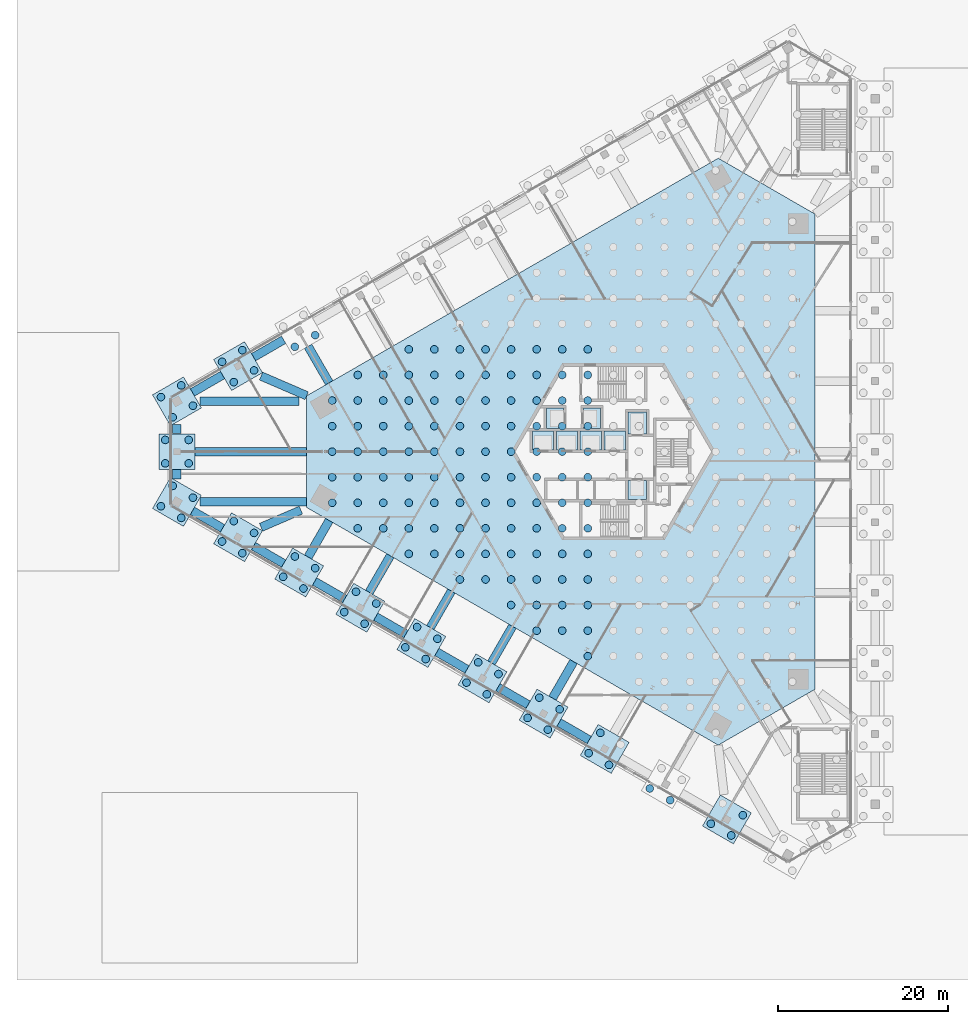
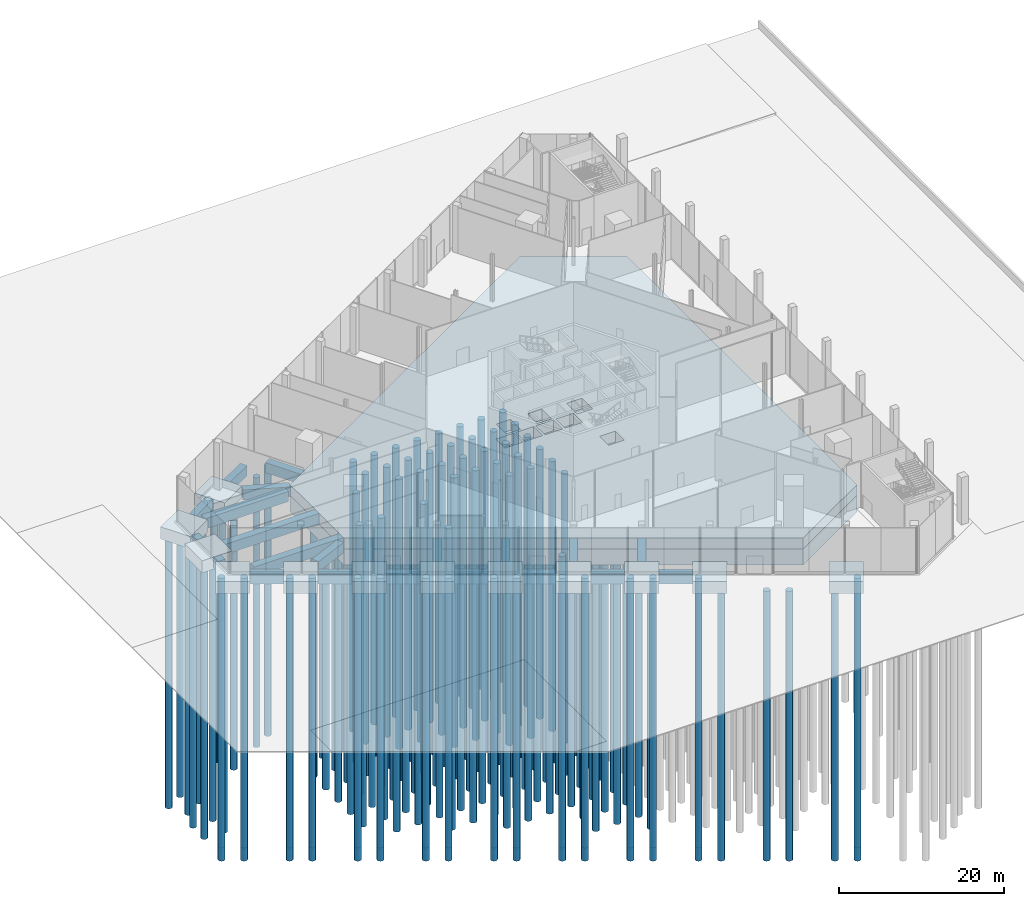
# One storey, part 1 of 27: 155 piles, 36 footings.
"""IFC4 building model written with IfcOpenShell, lengths in metres."""

import ifcopenshell
import ifcopenshell.guid

model = None  # the IFC model being written
_history = None  # IfcOwnerHistory: only IFC2X3 demands one
_inside = {}  # id of a spatial element -> (the spatial element, [elements in it])
_under = {}  # id of a project, library or spatial element -> (it, [spatial elements below it])
_declared = {}  # id of a project -> (the project, [libraries it declares])
_typed = {}  # id of a type object -> (the type object, [elements of that type])
_made_of = {}  # id of a material, layer set ... -> (it, [elements and type objects made of it])


def new_model(schema):
    """Start an empty IFC model of exactly this schema.

    Asked for "IFC4X3", IfcOpenShell would pick the latest addendum, in which some entities
    have other attributes; the version numbers below select the first issue.
    IFC2X3 requires an IfcOwnerHistory on every rooted entity: one is made here for all.
    """
    global model, _history
    if schema == "IFC4X3":
        model = ifcopenshell.file(schema_version=(4, 3, 0, 0))
    else:
        model = ifcopenshell.file(schema=schema)
    _inside.clear()
    _under.clear()
    _declared.clear()
    _typed.clear()
    _made_of.clear()
    _history = None
    if model.schema == "IFC2X3":
        org = make("IfcOrganization", Name="unknown")
        user = make(
            "IfcPersonAndOrganization",
            ThePerson=make("IfcPerson", FamilyName="unknown"),
            TheOrganization=org,
        )
        app = make(
            "IfcApplication",
            ApplicationDeveloper=org,
            Version="unknown",
            ApplicationFullName="unknown",
            ApplicationIdentifier="unknown",
        )
        _history = make(
            "IfcOwnerHistory",
            OwningUser=user,
            OwningApplication=app,
            ChangeAction="ADDED",
            CreationDate=0,
        )
    return model


def make(cls, **values):
    """One entity of the class cls with the attributes given. An attribute that is None is left unset."""
    return model.create_entity(
        cls, **{name: value for name, value in values.items() if value is not None}
    )


def rooted(cls, **values):
    """An entity with a GlobalId (a new one), such as an element, a storey or a relation."""
    return make(cls, GlobalId=ifcopenshell.guid.new(), OwnerHistory=_history, **values)


def si_unit(unit_type, name, prefix=None):
    """IfcSIUnit, for example si_unit("LENGTHUNIT", "METRE", prefix="MILLI")."""
    return make("IfcSIUnit", UnitType=unit_type, Prefix=prefix, Name=name)


def assignment(units):
    """IfcUnitAssignment: the units of a project."""
    return None if units is None else make("IfcUnitAssignment", Units=units)


def point(xyz):
    """IfcCartesianPoint."""
    return None if xyz is None else make("IfcCartesianPoint", Coordinates=xyz)


def direction(xyz):
    """IfcDirection."""
    return None if xyz is None else make("IfcDirection", DirectionRatios=xyz)


def frame(location, z_axis=None, x_axis=None):
    """IfcAxis2Placement3D, a coordinate frame: its origin and axes. An axis left out is left unset."""
    return make(
        "IfcAxis2Placement3D",
        Location=point(location),
        Axis=direction(z_axis),
        RefDirection=direction(x_axis),
    )


def frame_2d(location, x_axis=None):
    """IfcAxis2Placement2D, a coordinate frame in the plane: its origin and x axis."""
    return make(
        "IfcAxis2Placement2D", Location=point(location), RefDirection=direction(x_axis)
    )


def origin():
    """The frame at (0, 0, 0) with its axes left unset."""
    return frame((0.0, 0.0, 0.0))


def origin_2d():
    """The frame at (0, 0) in the plane with its x axis left unset."""
    return frame_2d((0.0, 0.0))


def place(relative_to, where):
    """IfcLocalPlacement: puts the frame where relative to a parent placement (None: the world)."""
    return make(
        "IfcLocalPlacement", PlacementRelTo=relative_to, RelativePlacement=where
    )


def context(
    kind, dimensions, precision=None, world=None, true_north=None, identifier=None
):
    """IfcGeometricRepresentationContext, for example the 3D "Model" context."""
    return make(
        "IfcGeometricRepresentationContext",
        ContextIdentifier=identifier,
        ContextType=kind,
        CoordinateSpaceDimension=dimensions,
        Precision=precision,
        WorldCoordinateSystem=world,
        TrueNorth=true_north,
    )


def subcontext(parent, identifier, kind, view, scale=None):
    """IfcGeometricRepresentationSubContext, for example "Body" below "Model"."""
    return make(
        "IfcGeometricRepresentationSubContext",
        ContextIdentifier=identifier,
        ContextType=kind,
        ParentContext=parent,
        TargetScale=scale,
        TargetView=view,
    )


def project(units=None, contexts=None):
    """IfcProject with its units and contexts."""
    return rooted(
        "IfcProject",
        Name="project",
        RepresentationContexts=contexts,
        UnitsInContext=assignment(units),
    )


def spatial(cls, under=None, at=None, **own):
    """A site, building, storey or space (cls), placed at a placement, below another one or the project."""
    s = rooted(cls, ObjectPlacement=at, **own)
    if under is not None:
        _under.setdefault(under.id(), (under, []))[1].append(s)
    return s


def polyline(points):
    """IfcPolyline through the points."""
    return make("IfcPolyline", Points=[point(p) for p in points])


def profile(cls, at=None, kind="AREA", **sizes):
    """A parametric profile (cls). Its sizes go by their IFC names, for example OverallWidth=200.0."""
    return make(cls, ProfileType=kind, Position=at, **sizes)


def rectangle(**sizes):
    """IfcRectangleProfileDef."""
    return profile("IfcRectangleProfileDef", **sizes)


def circle(**sizes):
    """IfcCircleProfileDef."""
    return profile("IfcCircleProfileDef", **sizes)


def outline(outer, holes=None, kind="AREA"):
    """IfcArbitraryClosedProfileDef: a profile drawn as a closed curve; with holes, ...WithVoids."""
    if holes is None:
        return make("IfcArbitraryClosedProfileDef", ProfileType=kind, OuterCurve=outer)
    return make(
        "IfcArbitraryProfileDefWithVoids",
        ProfileType=kind,
        OuterCurve=outer,
        InnerCurves=holes,
    )


def extrude(swept, where, along, depth):
    """IfcExtrudedAreaSolid: the profile swept, set in the frame where, extruded along a direction by depth."""
    return make(
        "IfcExtrudedAreaSolid",
        SweptArea=swept,
        Position=where,
        ExtrudedDirection=direction(along),
        Depth=depth,
    )


def shape(context_of_items, identifier, shape_type, items):
    """IfcShapeRepresentation: the items that make up one representation, for example the "Body"."""
    return make(
        "IfcShapeRepresentation",
        ContextOfItems=context_of_items,
        RepresentationIdentifier=identifier,
        RepresentationType=shape_type,
        Items=items,
    )


def source(mapping_origin, context_of_items, identifier, shape_type, items):
    """IfcRepresentationMap: a shape defined once, which mapped items show again and again."""
    return make(
        "IfcRepresentationMap",
        MappingOrigin=mapping_origin,
        MappedRepresentation=shape(context_of_items, identifier, shape_type, items),
    )


def transform(
    local_origin,
    x_axis=None,
    y_axis=None,
    z_axis=None,
    scale=None,
    scale2=None,
    scale3=None,
    uniform=True,
):
    """IfcCartesianTransformationOperator3D, or its non-uniform kind. x_axis, y_axis, z_axis: its Axis1, 2, 3."""
    if uniform:
        return make(
            "IfcCartesianTransformationOperator3D",
            Axis1=direction(x_axis),
            Axis2=direction(y_axis),
            LocalOrigin=point(local_origin),
            Scale=scale,
            Axis3=direction(z_axis),
        )
    return make(
        "IfcCartesianTransformationOperator3DnonUniform",
        Axis1=direction(x_axis),
        Axis2=direction(y_axis),
        LocalOrigin=point(local_origin),
        Scale=scale,
        Axis3=direction(z_axis),
        Scale2=scale2,
        Scale3=scale3,
    )


def mapped(mapping_source, mapping_target):
    """IfcMappedItem: shows the shape of a source again, moved by a transform."""
    return make(
        "IfcMappedItem", MappingSource=mapping_source, MappingTarget=mapping_target
    )


def material(Name=None, Category=None):
    """IfcMaterial."""
    return make("IfcMaterial", Name=Name, Category=Category)


def layer(
    of_material, thickness, ventilated=None, Name=None, Category=None, Priority=None
):
    """IfcMaterialLayer: one layer of a wall or slab, of a material (None: an air gap)."""
    return make(
        "IfcMaterialLayer",
        Material=of_material,
        LayerThickness=thickness,
        IsVentilated=ventilated,
        Name=Name,
        Category=Category,
        Priority=Priority,
    )


def layer_set(layers, Name=None):
    """IfcMaterialLayerSet."""
    return make("IfcMaterialLayerSet", MaterialLayers=layers, LayerSetName=Name)


def material_profile(
    of_material, cross_section, Name=None, Category=None, Priority=None
):
    """IfcMaterialProfile: a cross section and its material."""
    return make(
        "IfcMaterialProfile",
        Name=Name,
        Material=of_material,
        Profile=cross_section,
        Priority=Priority,
        Category=Category,
    )


def profile_set(profiles, Name=None, composite=None):
    """IfcMaterialProfileSet."""
    return make(
        "IfcMaterialProfileSet",
        Name=Name,
        MaterialProfiles=profiles,
        CompositeProfile=composite,
    )


def made_of(thing, what):
    """Note that an element or type object is made of a material, layer set ...; save() writes the relation."""
    if what is not None:
        _made_of.setdefault(what.id(), (what, []))[1].append(thing)
    return thing


def type_object(cls, material=None, **own):
    """A type object (cls), such as IfcWallType, which elements share."""
    return made_of(rooted(cls, **own), material)


def element(
    cls,
    number,
    at=None,
    inside=None,
    cuts=None,
    type_object=None,
    material=None,
    context=None,
    identifier="Body",
    shape_type=None,
    held_by="IfcProductDefinitionShape",
    body=None,
    shapes=None,
    **own,
):
    """One element of the class cls, such as IfcWall. Its Tag is "e" and its number.

    at: its placement. inside: the storey or other place that contains it. cuts: it is an
    opening in that element (IfcRelVoidsElement). A single representation is given by context,
    identifier, shape_type and body (its items); several are given by shapes. held_by: the class
    of the entity that holds the representations. save() writes the other relations.
    """
    e = rooted(cls, Tag="e%d" % number, ObjectPlacement=at, **own)
    if body is not None:
        shapes = [shape(context, identifier, shape_type, body)]
    if shapes is not None:
        e.Representation = make(held_by, Representations=shapes)
    if inside is not None:
        _inside.setdefault(inside.id(), (inside, []))[1].append(e)
    if cuts is not None:
        rooted(
            "IfcRelVoidsElement", RelatingBuildingElement=cuts, RelatedOpeningElement=e
        )
    if type_object is not None:
        _typed.setdefault(type_object.id(), (type_object, []))[1].append(e)
    return made_of(e, material)


def aggregate(whole, parts):
    """IfcRelAggregates: a whole, such as a stair, and the parts it consists of."""
    return rooted("IfcRelAggregates", RelatingObject=whole, RelatedObjects=parts)


def save(model, path):
    """Write the relations noted so far, then the file.

    IfcRelAggregates (storeys below a building ...), IfcRelContainedInSpatialStructure (elements
    in a storey), IfcRelDefinesByType, IfcRelAssociatesMaterial and IfcRelDeclares: one each for
    every whole, place, type object, material and project.
    """
    for whole, parts in _under.values():
        aggregate(whole, parts)
    for where, things in _inside.values():
        rooted(
            "IfcRelContainedInSpatialStructure",
            RelatedElements=things,
            RelatingStructure=where,
        )
    for kind, things in _typed.values():
        rooted("IfcRelDefinesByType", RelatedObjects=things, RelatingType=kind)
    for what, things in _made_of.values():
        rooted("IfcRelAssociatesMaterial", RelatedObjects=things, RelatingMaterial=what)
    for by, libraries in _declared.values():
        rooted("IfcRelDeclares", RelatingContext=by, RelatedDefinitions=libraries)
    model.write(path)


model = new_model("IFC4")

# Units and contexts
model_context = context("Model", 3, precision=1e-05, world=origin(), true_north=direction((0.0, 1.0)))
body_context = subcontext(model_context, "Body", "Model", "MODEL_VIEW")
ifc_project = project(units=[si_unit("LENGTHUNIT", "METRE"), si_unit("AREAUNIT", "SQUARE_METRE"), si_unit("VOLUMEUNIT", "CUBIC_METRE"), si_unit("PLANEANGLEUNIT", "RADIAN"), si_unit("MASSUNIT", "GRAM", prefix="KILO")], contexts=[model_context])

# Site, building, storey
site_placement = place(None, origin())
site = spatial("IfcSite", under=ifc_project, at=site_placement, CompositionType="ELEMENT")
building_placement = place(site_placement, origin())
building = spatial("IfcBuilding", under=site, at=building_placement, Name="Triune Harvest Tower", CompositionType="ELEMENT")
storey_placement = place(building_placement, origin())
storey = spatial("IfcBuildingStorey", under=building, at=storey_placement, Name="L00", CompositionType="ELEMENT", Elevation=0.0)

# Footings
ifc_material_1 = material(Name="Concrete 50 MPa", Category="concrete")
ifc_layer_1 = layer(ifc_material_1, 1.60009765625)
ifc_layer_set_1 = layer_set([ifc_layer_1], Name="Concrete 50 MPa")
footing_type_1 = type_object("IfcFootingType", Name="FT-1 Raft cap upper", PredefinedType="PILE_CAP", material=ifc_layer_set_1)
footing_1_placement = place(storey_placement, frame((0.0, 0.0, -1.800048828125)))
element("IfcFooting", 1, at=footing_1_placement, inside=storey, type_object=footing_type_1, Name="footing/raft/upper", PredefinedType="PILE_CAP", context=body_context, shape_type="SweptSolid", body=[
    extrude(outline(polyline([(23.67138671875, -27.8798828125), (23.67138671875, 27.8798828125), (12.30908203125, 34.43994140625), (-35.98046875, 6.56005859375), (-35.98046875, -6.56005859375), (12.30908203125, -34.43994140625), (23.67138671875, -27.8798828125)]), holes=[polyline([(-7.0, 0.2099609375), (-7.0, 2.409912109375), (-9.5, 2.409912109375), (-9.5, 0.2099609375), (-7.0, 0.2099609375)]), polyline([(-4.199951171875, 0.2099609375), (-4.199951171875, 2.409912109375), (-6.699951171875, 2.409912109375), (-6.699951171875, 0.2099609375), (-4.199951171875, 0.2099609375)]), polyline([(-1.39990234375, 0.2099609375), (-1.39990234375, 2.409912109375), (-3.89990234375, 2.409912109375), (-3.89990234375, 0.2099609375), (-1.39990234375, 0.2099609375)]), polyline([(1.39990234375, 0.2099609375), (1.39990234375, 2.409912109375), (-1.10009765625, 2.409912109375), (-1.10009765625, 0.2099609375), (1.39990234375, 0.2099609375)]), polyline([(3.89990234375, 2.06005859375), (3.89990234375, 4.659912109375), (1.699951171875, 4.659912109375), (1.699951171875, 2.06005859375), (3.89990234375, 2.06005859375)]), polyline([(3.89990234375, -5.590087890625), (3.89990234375, -3.389892578125), (1.699951171875, -3.389892578125), (1.699951171875, -5.590087890625), (3.89990234375, -5.590087890625)]), polyline([(-5.85009765625, 2.7099609375), (-5.85009765625, 5.110107421875), (-7.85009765625, 5.110107421875), (-7.85009765625, 2.7099609375), (-5.85009765625, 2.7099609375)]), polyline([(-1.5, 2.7099609375), (-1.5, 5.110107421875), (-3.5, 5.110107421875), (-3.5, 2.7099609375), (-1.5, 2.7099609375)])]), origin(), (0.0, 0.0, 1.0), 1.60009765625),
])
ifc_material_2 = material(Name="Concrete 50 MPa", Category="concrete")
ifc_layer_2 = layer(ifc_material_2, 2.39990234375)
ifc_layer_set_2 = layer_set([ifc_layer_2], Name="Concrete 50 MPa")
footing_type_2 = type_object("IfcFootingType", Name="FT-3 Raft cap base", PredefinedType="PILE_CAP", material=ifc_layer_set_2)
footing_2_placement = place(storey_placement, frame((0.0, 0.0, -4.199951171875)))
element("IfcFooting", 2, at=footing_2_placement, inside=storey, type_object=footing_type_2, Name="footing/raft/base", PredefinedType="PILE_CAP", context=body_context, shape_type="SweptSolid", body=[
    extrude(outline(polyline([(23.67138671875, -27.8798828125), (23.67138671875, 27.8798828125), (12.30908203125, 34.43994140625), (-35.98046875, 6.56005859375), (-35.98046875, -6.56005859375), (12.30908203125, -34.43994140625), (23.67138671875, -27.8798828125)])), origin(), (0.0, 0.0, 1.0), 2.39990234375),
])
ifc_material_3 = material(Name="Concrete 50 MPa", Category="concrete")
ifc_material_profile_1 = material_profile(ifc_material_3, rectangle(XDim=1.0, YDim=1.5, at=origin_2d()), Name="Concrete 1000x1500")
ifc_profile_set_1 = profile_set([ifc_material_profile_1], Name="Concrete 50 MPa")
footing_type_3 = type_object("IfcFootingType", Name="GB-1 Ground beam 1000x1500", PredefinedType="FOOTING_BEAM", material=ifc_profile_set_1)
footing_3_placement = place(storey_placement, frame((-41.3408203125, 8.87451171875, -0.949951171875), z_axis=(0.918074811343, -0.396407165397, 0.0), x_axis=(0.396407165397, 0.918074811343, 0.0)))
element("IfcFooting", 3, at=footing_3_placement, inside=storey, type_object=footing_type_3, Name="beam/ground/tie22", PredefinedType="FOOTING_BEAM", context=body_context, shape_type="SweptSolid", body=[
    extrude(rectangle(XDim=1.0, YDim=1.5, at=origin_2d()), origin(), (0.0, 0.0, 1.0), 5.83544921875),
])
footing_4_placement = place(storey_placement, frame((-49.10791015625, 0.0, -0.949951171875), z_axis=(1.0, 0.0, 0.0), x_axis=(0.0, 1.0, 0.0)))
element("IfcFooting", 4, at=footing_4_placement, inside=storey, type_object=footing_type_3, Name="beam/ground/tie24", PredefinedType="FOOTING_BEAM", context=body_context, shape_type="SweptSolid", body=[
    extrude(rectangle(XDim=1.0, YDim=1.5, at=origin_2d()), origin(), (0.0, 0.0, 1.0), 13.12451171875),
])
footing_5_placement = place(storey_placement, frame((-41.3408203125, -8.87451171875, -0.949951171875), z_axis=(0.91806672032, 0.396425903594, 0.0), x_axis=(-0.396425903594, 0.91806672032, 0.0)))
element("IfcFooting", 5, at=footing_5_placement, inside=storey, type_object=footing_type_3, Name="beam/ground/tie26", PredefinedType="FOOTING_BEAM", context=body_context, shape_type="SweptSolid", body=[
    extrude(rectangle(XDim=1.0, YDim=1.5, at=origin_2d()), origin(), (0.0, 0.0, 1.0), 5.0869140625),
])

# Piles
ifc_material_4 = material(Name="Concrete 40 MPa", Category="concrete")
ifc_material_profile_2 = material_profile(ifc_material_4, circle(Radius=0.449951171875, at=origin_2d()), Name="Bored 900")
ifc_profile_set_2 = profile_set([ifc_material_profile_2], Name="Concrete 40 MPa")
pile_type = type_object("IfcPileType", Name="PL-1 Auger-cast pile 900", PredefinedType="BORED", material=ifc_profile_set_2)
shared_shape_1 = source(origin(), body_context, "Body", "SweptSolid", [
    extrude(circle(Radius=0.449951171875, at=origin_2d()), origin(), (0.0, 0.0, 1.0), 40.0),
])
for number, where, z_axis, x_axis, name in (
    (6, (-33.0, -6.0, -4.10009765625), (0.0, 0.0, -1.0), (1.0, 0.0, 0.0), "pile/raft/1"),
    (7, (-33.0, -3.0, -4.10009765625), (0.0, 0.0, -1.0), (1.0, 0.0, 0.0), "pile/raft/2"),
    (8, (-33.0, 0.0, -4.10009765625), (0.0, 0.0, -1.0), (1.0, 0.0, 0.0), "pile/raft/3"),
    (9, (-33.0, 3.0, -4.10009765625), (0.0, 0.0, -1.0), (1.0, 0.0, 0.0), "pile/raft/4"),
    (10, (-33.0, 6.0, -4.10009765625), (0.0, 0.0, -1.0), (1.0, 0.0, 0.0), "pile/raft/5"),
    (11, (-30.0, -9.0, -4.10009765625), (0.0, 0.0, -1.0), (1.0, 0.0, 0.0), "pile/raft/6"),
    (12, (-30.0, -6.0, -4.10009765625), (0.0, 0.0, -1.0), (1.0, 0.0, 0.0), "pile/raft/7"),
    (13, (-30.0, -3.0, -4.10009765625), (0.0, 0.0, -1.0), (1.0, 0.0, 0.0), "pile/raft/8"),
    (14, (-30.0, 0.0, -4.10009765625), (0.0, 0.0, -1.0), (1.0, 0.0, 0.0), "pile/raft/9"),
    (15, (-30.0, 3.0, -4.10009765625), (0.0, 0.0, -1.0), (1.0, 0.0, 0.0), "pile/raft/10"),
    (16, (-30.0, 6.0, -4.10009765625), (0.0, 0.0, -1.0), (1.0, 0.0, 0.0), "pile/raft/11"),
    (17, (-30.0, 9.0, -4.10009765625), (0.0, 0.0, -1.0), (1.0, 0.0, 0.0), "pile/raft/12"),
    (18, (-27.0, -9.0, -4.10009765625), (0.0, 0.0, -1.0), (1.0, 0.0, 0.0), "pile/raft/13"),
    (19, (-27.0, -6.0, -4.10009765625), (0.0, 0.0, -1.0), (1.0, 0.0, 0.0), "pile/raft/14"),
    (20, (-27.0, -3.0, -4.10009765625), (0.0, 0.0, -1.0), (1.0, 0.0, 0.0), "pile/raft/15"),
    (21, (-27.0, 0.0, -4.10009765625), (0.0, 0.0, -1.0), (1.0, 0.0, 0.0), "pile/raft/16"),
    (22, (-27.0, 3.0, -4.10009765625), (0.0, 0.0, -1.0), (1.0, 0.0, 0.0), "pile/raft/17"),
    (23, (-27.0, 6.0, -4.10009765625), (0.0, 0.0, -1.0), (1.0, 0.0, 0.0), "pile/raft/18"),
    (24, (-27.0, 9.0, -4.10009765625), (0.0, 0.0, -1.0), (1.0, 0.0, 0.0), "pile/raft/19"),
    (25, (-24.0, -12.0, -4.10009765625), (0.0, 0.0, -1.0), (1.0, 0.0, 0.0), "pile/raft/20"),
    (26, (-24.0, -9.0, -4.10009765625), (0.0, 0.0, -1.0), (1.0, 0.0, 0.0), "pile/raft/21"),
    (27, (-24.0, -6.0, -4.10009765625), (0.0, 0.0, -1.0), (1.0, 0.0, 0.0), "pile/raft/22"),
    (28, (-24.0, -3.0, -4.10009765625), (0.0, 0.0, -1.0), (1.0, 0.0, 0.0), "pile/raft/23"),
    (29, (-24.0, 0.0, -4.10009765625), (0.0, 0.0, -1.0), (1.0, 0.0, 0.0), "pile/raft/24"),
    (30, (-24.0, 3.0, -4.10009765625), (0.0, 0.0, -1.0), (1.0, 0.0, 0.0), "pile/raft/25"),
    (31, (-24.0, 6.0, -4.10009765625), (0.0, 0.0, -1.0), (1.0, 0.0, 0.0), "pile/raft/26"),
    (32, (-24.0, 9.0, -4.10009765625), (0.0, 0.0, -1.0), (1.0, 0.0, 0.0), "pile/raft/27"),
    (33, (-24.0, 12.0, -4.10009765625), (0.0, 0.0, -1.0), (1.0, 0.0, 0.0), "pile/raft/28"),
    (34, (-21.0, -12.0, -4.10009765625), (0.0, 0.0, -1.0), (1.0, 0.0, 0.0), "pile/raft/29"),
    (35, (-21.0, -9.0, -4.10009765625), (0.0, 0.0, -1.0), (1.0, 0.0, 0.0), "pile/raft/30"),
    (36, (-21.0, -6.0, -4.10009765625), (0.0, 0.0, -1.0), (1.0, 0.0, 0.0), "pile/raft/31"),
    (37, (-21.0, -3.0, -4.10009765625), (0.0, 0.0, -1.0), (1.0, 0.0, 0.0), "pile/raft/32"),
    (38, (-21.0, 0.0, -4.10009765625), (0.0, 0.0, -1.0), (1.0, 0.0, 0.0), "pile/raft/33"),
    (39, (-21.0, 3.0, -4.10009765625), (0.0, 0.0, -1.0), (1.0, 0.0, 0.0), "pile/raft/34"),
    (40, (-21.0, 6.0, -4.10009765625), (0.0, 0.0, -1.0), (1.0, 0.0, 0.0), "pile/raft/35"),
    (41, (-21.0, 9.0, -4.10009765625), (0.0, 0.0, -1.0), (1.0, 0.0, 0.0), "pile/raft/36"),
    (42, (-21.0, 12.0, -4.10009765625), (0.0, 0.0, -1.0), (1.0, 0.0, 0.0), "pile/raft/37"),
    (43, (-18.0, -15.0, -4.10009765625), (0.0, 0.0, -1.0), (1.0, 0.0, 0.0), "pile/raft/38"),
    (44, (-18.0, -12.0, -4.10009765625), (0.0, 0.0, -1.0), (1.0, 0.0, 0.0), "pile/raft/39"),
    (45, (-18.0, -9.0, -4.10009765625), (0.0, 0.0, -1.0), (1.0, 0.0, 0.0), "pile/raft/40"),
    (46, (-18.0, -6.0, -4.10009765625), (0.0, 0.0, -1.0), (1.0, 0.0, 0.0), "pile/raft/41"),
    (47, (-18.0, -3.0, -4.10009765625), (0.0, 0.0, -1.0), (1.0, 0.0, 0.0), "pile/raft/42"),
    (48, (-18.0, 0.0, -4.10009765625), (0.0, 0.0, -1.0), (1.0, 0.0, 0.0), "pile/raft/43"),
    (49, (-18.0, 3.0, -4.10009765625), (0.0, 0.0, -1.0), (1.0, 0.0, 0.0), "pile/raft/44"),
    (50, (-18.0, 6.0, -4.10009765625), (0.0, 0.0, -1.0), (1.0, 0.0, 0.0), "pile/raft/45"),
    (51, (-18.0, 9.0, -4.10009765625), (0.0, 0.0, -1.0), (1.0, 0.0, 0.0), "pile/raft/46"),
    (52, (-18.0, 12.0, -4.10009765625), (0.0, 0.0, -1.0), (1.0, 0.0, 0.0), "pile/raft/47"),
    (53, (-15.0, -15.0, -4.10009765625), (0.0, 0.0, -1.0), (1.0, 0.0, 0.0), "pile/raft/49"),
    (54, (-15.0, -12.0, -4.10009765625), (0.0, 0.0, -1.0), (1.0, 0.0, 0.0), "pile/raft/50"),
    (55, (-15.0, -9.0, -4.10009765625), (0.0, 0.0, -1.0), (1.0, 0.0, 0.0), "pile/raft/51"),
    (56, (-15.0, -6.0, -4.10009765625), (0.0, 0.0, -1.0), (1.0, 0.0, 0.0), "pile/raft/52"),
    (57, (-15.0, -3.0, -4.10009765625), (0.0, 0.0, -1.0), (1.0, 0.0, 0.0), "pile/raft/53"),
    (58, (-15.0, 0.0, -4.10009765625), (0.0, 0.0, -1.0), (1.0, 0.0, 0.0), "pile/raft/54"),
    (59, (-15.0, 3.0, -4.10009765625), (0.0, 0.0, -1.0), (1.0, 0.0, 0.0), "pile/raft/55"),
    (60, (-15.0, 6.0, -4.10009765625), (0.0, 0.0, -1.0), (1.0, 0.0, 0.0), "pile/raft/56"),
    (61, (-15.0, 9.0, -4.10009765625), (0.0, 0.0, -1.0), (1.0, 0.0, 0.0), "pile/raft/57"),
    (62, (-15.0, 12.0, -4.10009765625), (0.0, 0.0, -1.0), (1.0, 0.0, 0.0), "pile/raft/58"),
    (63, (-12.0, -18.0, -4.10009765625), (0.0, 0.0, -1.0), (1.0, 0.0, 0.0), "pile/raft/60"),
    (64, (-12.0, -15.0, -4.10009765625), (0.0, 0.0, -1.0), (1.0, 0.0, 0.0), "pile/raft/61"),
    (65, (-12.0, -12.0, -4.10009765625), (0.0, 0.0, -1.0), (1.0, 0.0, 0.0), "pile/raft/62"),
    (66, (-12.0, -9.0, -4.10009765625), (0.0, 0.0, -1.0), (1.0, 0.0, 0.0), "pile/raft/63"),
    (67, (-12.0, -6.0, -4.10009765625), (0.0, 0.0, -1.0), (1.0, 0.0, 0.0), "pile/raft/64"),
    (68, (-12.0, -3.0, -4.10009765625), (0.0, 0.0, -1.0), (1.0, 0.0, 0.0), "pile/raft/65"),
    (69, (-12.0, 0.0, -4.10009765625), (0.0, 0.0, -1.0), (1.0, 0.0, 0.0), "pile/raft/66"),
    (70, (-12.0, 3.0, -4.10009765625), (0.0, 0.0, -1.0), (1.0, 0.0, 0.0), "pile/raft/67"),
    (71, (-12.0, 6.0, -4.10009765625), (0.0, 0.0, -1.0), (1.0, 0.0, 0.0), "pile/raft/68"),
    (72, (-12.0, 9.0, -4.10009765625), (0.0, 0.0, -1.0), (1.0, 0.0, 0.0), "pile/raft/69"),
    (73, (-12.0, 12.0, -4.10009765625), (0.0, 0.0, -1.0), (1.0, 0.0, 0.0), "pile/raft/70"),
    (74, (-9.0, -21.0, -4.10009765625), (0.0, 0.0, -1.0), (1.0, 0.0, 0.0), "pile/raft/73"),
    (75, (-9.0, -18.0, -4.10009765625), (0.0, 0.0, -1.0), (1.0, 0.0, 0.0), "pile/raft/74"),
    (76, (-9.0, -15.0, -4.10009765625), (0.0, 0.0, -1.0), (1.0, 0.0, 0.0), "pile/raft/75"),
    (77, (-9.0, -12.0, -4.10009765625), (0.0, 0.0, -1.0), (1.0, 0.0, 0.0), "pile/raft/76"),
    (78, (-9.0, -9.0, -4.10009765625), (0.0, 0.0, -1.0), (1.0, 0.0, 0.0), "pile/raft/77"),
    (79, (-9.0, -6.0, -4.10009765625), (0.0, 0.0, -1.0), (1.0, 0.0, 0.0), "pile/raft/78"),
    (80, (-9.0, -3.0, -4.10009765625), (0.0, 0.0, -1.0), (1.0, 0.0, 0.0), "pile/raft/79"),
    (81, (-9.0, 0.0, -4.10009765625), (0.0, 0.0, -1.0), (1.0, 0.0, 0.0), "pile/raft/80"),
    (82, (-9.0, 3.0, -4.10009765625), (0.0, 0.0, -1.0), (1.0, 0.0, 0.0), "pile/raft/81"),
    (83, (-9.0, 6.0, -4.10009765625), (0.0, 0.0, -1.0), (1.0, 0.0, 0.0), "pile/raft/82"),
    (84, (-9.0, 9.0, -4.10009765625), (0.0, 0.0, -1.0), (1.0, 0.0, 0.0), "pile/raft/83"),
    (85, (-9.0, 12.0, -4.10009765625), (0.0, 0.0, -1.0), (1.0, 0.0, 0.0), "pile/raft/84"),
    (86, (-6.0, -21.0, -4.10009765625), (0.0, 0.0, -1.0), (1.0, 0.0, 0.0), "pile/raft/88"),
    (87, (-6.0, -18.0, -4.10009765625), (0.0, 0.0, -1.0), (1.0, 0.0, 0.0), "pile/raft/89"),
    (88, (-6.0, -15.0, -4.10009765625), (0.0, 0.0, -1.0), (1.0, 0.0, 0.0), "pile/raft/90"),
    (89, (-6.0, -12.0, -4.10009765625), (0.0, 0.0, -1.0), (1.0, 0.0, 0.0), "pile/raft/91"),
    (90, (-6.0, -9.0, -4.10009765625), (0.0, 0.0, -1.0), (1.0, 0.0, 0.0), "pile/raft/92"),
    (91, (-6.0, -6.0, -4.10009765625), (0.0, 0.0, -1.0), (1.0, 0.0, 0.0), "pile/raft/93"),
    (92, (-6.0, -3.0, -4.10009765625), (0.0, 0.0, -1.0), (1.0, 0.0, 0.0), "pile/raft/94"),
    (93, (-6.0, 0.0, -4.10009765625), (0.0, 0.0, -1.0), (1.0, 0.0, 0.0), "pile/raft/95"),
    (94, (-6.0, 3.0, -4.10009765625), (0.0, 0.0, -1.0), (1.0, 0.0, 0.0), "pile/raft/96"),
    (95, (-6.0, 6.0, -4.10009765625), (0.0, 0.0, -1.0), (1.0, 0.0, 0.0), "pile/raft/97"),
    (96, (-6.0, 9.0, -4.10009765625), (0.0, 0.0, -1.0), (1.0, 0.0, 0.0), "pile/raft/98"),
    (97, (-6.0, 12.0, -4.10009765625), (0.0, 0.0, -1.0), (1.0, 0.0, 0.0), "pile/raft/99"),
    (98, (-3.0, -24.0, -4.10009765625), (0.0, 0.0, -1.0), (1.0, 0.0, 0.0), "pile/raft/103"),
    (99, (-3.0, -21.0, -4.10009765625), (0.0, 0.0, -1.0), (1.0, 0.0, 0.0), "pile/raft/104"),
    (100, (-3.0, -18.0, -4.10009765625), (0.0, 0.0, -1.0), (1.0, 0.0, 0.0), "pile/raft/105"),
    (101, (-3.0, -15.0, -4.10009765625), (0.0, 0.0, -1.0), (1.0, 0.0, 0.0), "pile/raft/106"),
    (102, (-3.0, -12.0, -4.10009765625), (0.0, 0.0, -1.0), (1.0, 0.0, 0.0), "pile/raft/107"),
    (103, (-3.0, -9.0, -4.10009765625), (0.0, 0.0, -1.0), (1.0, 0.0, 0.0), "pile/raft/108"),
    (104, (-3.0, -6.0, -4.10009765625), (0.0, 0.0, -1.0), (1.0, 0.0, 0.0), "pile/raft/109"),
    (105, (-3.0, -3.0, -4.10009765625), (0.0, 0.0, -1.0), (1.0, 0.0, 0.0), "pile/raft/110"),
    (106, (-3.0, 0.0, -4.10009765625), (0.0, 0.0, -1.0), (1.0, 0.0, 0.0), "pile/raft/111"),
    (107, (-3.0, 3.0, -4.10009765625), (0.0, 0.0, -1.0), (1.0, 0.0, 0.0), "pile/raft/112"),
    (108, (-3.0, 6.0, -4.10009765625), (0.0, 0.0, -1.0), (1.0, 0.0, 0.0), "pile/raft/113"),
    (109, (-3.0, 9.0, -4.10009765625), (0.0, 0.0, -1.0), (1.0, 0.0, 0.0), "pile/raft/114"),
    (110, (-3.0, 12.0, -4.10009765625), (0.0, 0.0, -1.0), (1.0, 0.0, 0.0), "pile/raft/115"),
    (111, (-37.372802734375, 12.3017578125, -1.89990234375), (0.0, 0.0, -1.0), (1.0, 0.0, 0.0), "pile/cap21/3"),
    (112, (-34.9912109375, 13.6767578125, -1.89990234375), (0.0, 0.0, -1.0), (1.0, 0.0, 0.0), "pile/cap21/4"),
    (113, (-43.537109375, 11.918212890625, -1.89990234375), (0.0, 0.0, -1.0), (1.0, 0.0, 0.0), "pile/cap22/1"),
    (114, (-45.918701171875, 10.543212890625, -1.89990234375), (0.0, 0.0, -1.0), (1.0, 0.0, 0.0), "pile/cap22/2"),
    (115, (-44.543701171875, 8.16162109375, -1.89990234375), (0.0, 0.0, -1.0), (1.0, 0.0, 0.0), "pile/cap22/3"),
    (116, (-42.162109375, 9.53662109375, -1.89990234375), (0.0, 0.0, -1.0), (1.0, 0.0, 0.0), "pile/cap22/4"),
    (117, (-50.707763671875, 7.7783203125, -1.89990234375), (0.0, 0.0, -1.0), (1.0, 0.0, 0.0), "pile/cap23/1"),
    (118, (-53.08935546875, 6.4033203125, -1.89990234375), (0.0, 0.0, -1.0), (1.0, 0.0, 0.0), "pile/cap23/2"),
    (119, (-51.71435546875, 4.021728515625, -1.89990234375), (0.0, 0.0, -1.0), (1.0, 0.0, 0.0), "pile/cap23/3"),
    (120, (-49.332763671875, 5.396728515625, -1.89990234375), (0.0, 0.0, -1.0), (1.0, 0.0, 0.0), "pile/cap23/4"),
    (121, (-52.5859375, 1.375, -1.89990234375), (0.0, 0.0, -1.0), (1.0, 0.0, 0.0), "pile/cap24/1"),
    (122, (-52.5859375, -1.375, -1.89990234375), (0.0, 0.0, -1.0), (1.0, 0.0, 0.0), "pile/cap24/2"),
    (123, (-49.8359375, -1.375, -1.89990234375), (0.0, 0.0, -1.0), (1.0, 0.0, 0.0), "pile/cap24/3"),
    (124, (-49.8359375, 1.375, -1.89990234375), (0.0, 0.0, -1.0), (1.0, 0.0, 0.0), "pile/cap24/4"),
    (125, (-53.08935546875, -6.4033203125, -1.89990234375), (0.0, 0.0, -1.0), (1.0, 0.0, 0.0), "pile/cap25/1"),
    (126, (-50.707763671875, -7.7783203125, -1.89990234375), (0.0, 0.0, -1.0), (1.0, 0.0, 0.0), "pile/cap25/2"),
    (127, (-49.332763671875, -5.396728515625, -1.89990234375), (0.0, 0.0, -1.0), (1.0, 0.0, 0.0), "pile/cap25/3"),
    (128, (-51.71435546875, -4.021728515625, -1.89990234375), (0.0, 0.0, -1.0), (1.0, 0.0, 0.0), "pile/cap25/4"),
    (129, (-45.918701171875, -10.543212890625, -1.89990234375), (0.0, 0.0, -1.0), (1.0, 0.0, 0.0), "pile/cap26/1"),
    (130, (-43.537109375, -11.918212890625, -1.89990234375), (0.0, 0.0, -1.0), (1.0, 0.0, 0.0), "pile/cap26/2"),
    (131, (-42.162109375, -9.53662109375, -1.89990234375), (0.0, 0.0, -1.0), (1.0, 0.0, 0.0), "pile/cap26/3"),
    (132, (-44.543701171875, -8.16162109375, -1.89990234375), (0.0, 0.0, -1.0), (1.0, 0.0, 0.0), "pile/cap26/4"),
    (133, (-38.747802734375, -14.683349609375, -1.89990234375), (0.0, 0.0, -1.0), (1.0, 0.0, 0.0), "pile/cap27/1"),
    (134, (-36.3662109375, -16.058349609375, -1.89990234375), (0.0, 0.0, -1.0), (1.0, 0.0, 0.0), "pile/cap27/2"),
    (135, (-34.9912109375, -13.6767578125, -1.89990234375), (0.0, 0.0, -1.0), (1.0, 0.0, 0.0), "pile/cap27/3"),
    (136, (-37.372802734375, -12.3017578125, -1.89990234375), (0.0, 0.0, -1.0), (1.0, 0.0, 0.0), "pile/cap27/4"),
    (137, (-31.5771484375, -18.8232421875, -1.89990234375), (0.0, 0.0, -1.0), (1.0, 0.0, 0.0), "pile/cap28/1"),
    (138, (-29.195556640625, -20.1982421875, -1.89990234375), (0.0, 0.0, -1.0), (1.0, 0.0, 0.0), "pile/cap28/2"),
    (139, (-27.820556640625, -17.816650390625, -1.89990234375), (0.0, 0.0, -1.0), (1.0, 0.0, 0.0), "pile/cap28/3"),
    (140, (-30.2021484375, -16.441650390625, -1.89990234375), (0.0, 0.0, -1.0), (1.0, 0.0, 0.0), "pile/cap28/4"),
    (141, (-24.406494140625, -22.96337890625, -1.89990234375), (0.0, 0.0, -1.0), (1.0, 0.0, 0.0), "pile/cap29/1"),
    (142, (-22.02490234375, -24.33837890625, -1.89990234375), (0.0, 0.0, -1.0), (1.0, 0.0, 0.0), "pile/cap29/2"),
    (143, (-20.64990234375, -21.956787109375, -1.89990234375), (0.0, 0.0, -1.0), (1.0, 0.0, 0.0), "pile/cap29/3"),
    (144, (-23.031494140625, -20.581787109375, -1.89990234375), (0.0, 0.0, -1.0), (1.0, 0.0, 0.0), "pile/cap29/4"),
    (145, (-17.23583984375, -27.103271484375, -1.89990234375), (0.0, 0.0, -1.0), (1.0, 0.0, 0.0), "pile/cap30/1"),
    (146, (-14.854248046875, -28.478271484375, -1.89990234375), (0.0, 0.0, -1.0), (1.0, 0.0, 0.0), "pile/cap30/2"),
    (147, (-13.479248046875, -26.0966796875, -1.89990234375), (0.0, 0.0, -1.0), (1.0, 0.0, 0.0), "pile/cap30/3"),
    (148, (-15.86083984375, -24.7216796875, -1.89990234375), (0.0, 0.0, -1.0), (1.0, 0.0, 0.0), "pile/cap30/4"),
    (149, (-10.065185546875, -31.243408203125, -1.89990234375), (0.0, 0.0, -1.0), (1.0, 0.0, 0.0), "pile/cap31/1"),
    (150, (-7.68359375, -32.618408203125, -1.89990234375), (0.0, 0.0, -1.0), (1.0, 0.0, 0.0), "pile/cap31/2"),
    (151, (-6.30859375, -30.23681640625, -1.89990234375), (0.0, 0.0, -1.0), (1.0, 0.0, 0.0), "pile/cap31/3"),
    (152, (-8.690185546875, -28.86181640625, -1.89990234375), (0.0, 0.0, -1.0), (1.0, 0.0, 0.0), "pile/cap31/4"),
    (153, (-2.89453125, -35.38330078125, -1.89990234375), (0.0, 0.0, -1.0), (1.0, 0.0, 0.0), "pile/cap32/1"),
    (154, (-0.512939453125, -36.75830078125, -1.89990234375), (0.0, 0.0, -1.0), (1.0, 0.0, 0.0), "pile/cap32/2"),
    (155, (-1.51953125, -33.001708984375, -1.89990234375), (0.0, 0.0, -1.0), (1.0, 0.0, 0.0), "pile/cap32/4"),
    (156, (4.276123046875, -39.523193359375, -1.89990234375), (0.0, 0.0, -1.0), (1.0, 0.0, 0.0), "pile/cap33/1"),
    (157, (6.65771484375, -40.898193359375, -1.89990234375), (0.0, 0.0, -1.0), (1.0, 0.0, 0.0), "pile/cap33/2"),
    (158, (11.447021484375, -43.663330078125, -1.89990234375), (0.0, 0.0, -1.0), (1.0, 0.0, 0.0), "pile/cap34/1"),
    (159, (13.82861328125, -45.038330078125, -1.89990234375), (0.0, 0.0, -1.0), (1.0, 0.0, 0.0), "pile/cap34/2"),
    (160, (15.20361328125, -42.65673828125, -1.89990234375), (0.0, 0.0, -1.0), (1.0, 0.0, 0.0), "pile/cap34/3"),
):
    element("IfcPile", number, at=place(storey_placement, frame(where, z_axis=z_axis, x_axis=x_axis)), inside=storey, type_object=pile_type, Name=name, PredefinedType="BORED", context=body_context, shape_type="MappedRepresentation", body=[
        mapped(shared_shape_1, transform((0.0, 0.0, 0.0), scale=1.0)),
    ])

# Footings
ifc_material_5 = material(Name="Concrete 50 MPa", Category="concrete")
ifc_layer_3 = layer(ifc_material_5, 1.800048828125)
ifc_layer_set_3 = layer_set([ifc_layer_3], Name="Concrete 50 MPa")
footing_type_4 = type_object("IfcFootingType", Name="FT-2 Pile cap 4200", PredefinedType="PILE_CAP", material=ifc_layer_set_3)
shared_shape_2 = source(origin(), body_context, "Body", "SweptSolid", [
    extrude(rectangle(XDim=4.199951171875, YDim=4.199951171875, at=origin_2d()), origin(), (0.0, 0.0, 1.0), 1.800048828125),
])
for number, where, z_axis, x_axis, name in (
    (161, (-44.040283203125, 10.0400390625, -2.0), (0.0, 0.0, 1.0), (-0.866025403784, -0.5, 0.0), "footing/cap/22"),
    (162, (-51.2109375, 5.89990234375, -2.0), (0.0, 0.0, 1.0), (-0.866025403784, -0.5, 0.0), "footing/cap/23"),
    (163, (-51.2109375, 0.0, -2.0), (0.0, 0.0, 1.0), (0.0, -1.0, 0.0), "footing/cap/24"),
    (164, (-51.2109375, -5.89990234375, -2.0), (0.0, 0.0, 1.0), (0.866025403784, -0.5, 0.0), "footing/cap/25"),
    (165, (-44.040283203125, -10.0400390625, -2.0), (0.0, 0.0, 1.0), (0.866025403784, -0.5, 0.0), "footing/cap/26"),
    (166, (-36.86962890625, -14.179931640625, -2.0), (0.0, 0.0, 1.0), (0.866025403784, -0.5, 0.0), "footing/cap/27"),
    (167, (-29.698974609375, -18.320068359375, -2.0), (0.0, 0.0, 1.0), (0.866025403784, -0.5, 0.0), "footing/cap/28"),
    (168, (-22.5283203125, -22.4599609375, -2.0), (0.0, 0.0, 1.0), (0.866025403784, -0.5, 0.0), "footing/cap/29"),
    (169, (-15.357666015625, -26.60009765625, -2.0), (0.0, 0.0, 1.0), (0.866025403784, -0.5, 0.0), "footing/cap/30"),
    (170, (-8.18701171875, -30.739990234375, -2.0), (0.0, 0.0, 1.0), (0.866025403784, -0.5, 0.0), "footing/cap/31"),
    (171, (-1.01611328125, -34.8798828125, -2.0), (0.0, 0.0, 1.0), (0.866025403784, -0.5, 0.0), "footing/cap/32"),
    (172, (13.3251953125, -43.159912109375, -2.0), (0.0, 0.0, 1.0), (0.866025403784, -0.5, 0.0), "footing/cap/34"),
):
    element("IfcFooting", number, at=place(storey_placement, frame(where, z_axis=z_axis, x_axis=x_axis)), inside=storey, type_object=footing_type_4, Name=name, PredefinedType="PILE_CAP", context=body_context, shape_type="MappedRepresentation", body=[
        mapped(shared_shape_2, transform((0.0, 0.0, 0.0), scale=1.0)),
    ])
shared_shape_3 = source(origin(), body_context, "Body", "SweptSolid", [
    extrude(rectangle(XDim=1.0, YDim=1.5, at=origin_2d()), origin(), (0.0, 0.0, 1.0), 4.073974609375),
])
for number, where, z_axis, x_axis, name in (
    (173, (-45.861572265625, 8.988525390625, -0.949951171875), (-0.866006946562, -0.500031967484, 0.0), (0.500031967484, -0.866006946562, 0.0), "beam/ground/22"),
    (174, (-49.3896484375, -6.951416015625, -0.949951171875), (0.866006946562, -0.500031967484, 0.0), (0.500031967484, 0.866006946562, 0.0), "beam/ground/25"),
    (175, (-35.04833984375, -15.2314453125, -0.949951171875), (0.866006946562, -0.500031967484, 0.0), (0.500031967484, 0.866006946562, 0.0), "beam/ground/27"),
    (176, (-6.365478515625, -31.79150390625, -0.949951171875), (0.866006946562, -0.500031967484, 0.0), (0.500031967484, 0.866006946562, 0.0), "beam/ground/31"),
):
    element("IfcFooting", number, at=place(storey_placement, frame(where, z_axis=z_axis, x_axis=x_axis)), inside=storey, type_object=footing_type_3, Name=name, PredefinedType="FOOTING_BEAM", context=body_context, shape_type="MappedRepresentation", body=[
        mapped(shared_shape_3, transform((0.0, 0.0, 0.0), scale=1.0)),
    ])
shared_shape_4 = source(origin(), body_context, "Body", "SweptSolid", [
    extrude(rectangle(XDim=1.0, YDim=1.5, at=origin_2d()), origin(), (0.0, 0.0, 1.0), 1.0791015625),
])
for number, where, z_axis, x_axis, name in (
    (177, (-51.2109375, 3.18212890625, -0.949951171875), (0.0, -1.0, 0.0), (1.0, 0.0, 0.0), "beam/ground/23"),
    (178, (-51.2109375, -2.10302734375, -0.949951171875), (0.0, -1.0, 0.0), (1.0, 0.0, 0.0), "beam/ground/24"),
):
    element("IfcFooting", number, at=place(storey_placement, frame(where, z_axis=z_axis, x_axis=x_axis)), inside=storey, type_object=footing_type_3, Name=name, PredefinedType="FOOTING_BEAM", context=body_context, shape_type="MappedRepresentation", body=[
        mapped(shared_shape_4, transform((0.0, 0.0, 0.0), scale=1.0)),
    ])
shared_shape_5 = source(origin(), body_context, "Body", "SweptSolid", [
    extrude(rectangle(XDim=1.0, YDim=1.5, at=origin_2d()), origin(), (0.0, 0.0, 1.0), 4.07373046875),
])
for number, where, z_axis, x_axis, name in (
    (179, (-38.69091796875, 13.12841796875, -0.949951171875), (-0.866032896488, -0.499987022033, 0.0), (0.499987022033, -0.866032896488, 0.0), "beam/ground/21"),
    (180, (-42.218994140625, -11.091552734375, -0.949951171875), (0.866032896488, -0.499987022033, 0.0), (0.499987022033, 0.866032896488, 0.0), "beam/ground/26"),
    (181, (-27.877685546875, -19.37158203125, -0.949951171875), (0.866032896488, -0.499987022033, 0.0), (0.499987022033, 0.866032896488, 0.0), "beam/ground/28"),
    (182, (-13.536376953125, -27.651611328125, -0.949951171875), (0.866032896488, -0.499987022033, 0.0), (0.499987022033, 0.866032896488, 0.0), "beam/ground/30"),
):
    element("IfcFooting", number, at=place(storey_placement, frame(where, z_axis=z_axis, x_axis=x_axis)), inside=storey, type_object=footing_type_3, Name=name, PredefinedType="FOOTING_BEAM", context=body_context, shape_type="MappedRepresentation", body=[
        mapped(shared_shape_5, transform((0.0, 0.0, 0.0), scale=1.0)),
    ])
shared_shape_6 = source(origin(), body_context, "Body", "SweptSolid", [
    extrude(rectangle(XDim=1.0, YDim=1.5, at=origin_2d()), origin(), (0.0, 0.0, 1.0), 4.06396484375),
])
footing_6_placement = place(storey_placement, frame((-20.70263671875, -23.513916015625, -0.949951171875), z_axis=(0.866027523318, -0.499996328842, 0.0), x_axis=(0.499996328842, 0.866027523318, 0.0)))
element("IfcFooting", 183, at=footing_6_placement, inside=storey, type_object=footing_type_3, Name="beam/ground/29", PredefinedType="FOOTING_BEAM", context=body_context, shape_type="MappedRepresentation", body=[
    mapped(shared_shape_6, transform((0.0, 0.0, 0.0), scale=1.0)),
])
shared_shape_7 = source(origin(), body_context, "Body", "SweptSolid", [
    extrude(rectangle(XDim=1.0, YDim=1.5, at=origin_2d()), origin(), (0.0, 0.0, 1.0), 4.937744140625),
])
for number, where, z_axis, x_axis, name in (
    (184, (-21.476806640625, -20.638671875, -0.949951171875), (0.500026329958, 0.866010201643, 0.0), (-0.866010201643, 0.500026329958, 0.0), "beam/ground/tie29"),
    (185, (-14.30615234375, -24.77880859375, -0.949951171875), (0.500026329958, 0.866010201643, 0.0), (-0.866010201643, 0.500026329958, 0.0), "beam/ground/tie30"),
    (186, (-7.135498046875, -28.918701171875, -0.949951171875), (0.500026329958, 0.866010201643, 0.0), (-0.866010201643, 0.500026329958, 0.0), "beam/ground/tie31"),
):
    element("IfcFooting", number, at=place(storey_placement, frame(where, z_axis=z_axis, x_axis=x_axis)), inside=storey, type_object=footing_type_3, Name=name, PredefinedType="FOOTING_BEAM", context=body_context, shape_type="MappedRepresentation", body=[
        mapped(shared_shape_7, transform((0.0, 0.0, 0.0), scale=1.0)),
    ])
shared_shape_8 = source(origin(), body_context, "Body", "SweptSolid", [
    extrude(rectangle(XDim=1.0, YDim=1.5, at=origin_2d()), origin(), (0.0, 0.0, 1.0), 12.509765625),
])
footing_7_placement = place(storey_placement, frame((-48.4931640625, -5.89990234375, -0.949951171875), z_axis=(1.0, 0.0, 0.0), x_axis=(0.0, 1.0, 0.0)))
element("IfcFooting", 187, at=footing_7_placement, inside=storey, type_object=footing_type_3, Name="beam/ground/tie25", PredefinedType="FOOTING_BEAM", context=body_context, shape_type="MappedRepresentation", body=[
    mapped(shared_shape_8, transform((0.0, 0.0, 0.0), scale=1.0)),
])
shared_shape_9 = source(origin(), body_context, "Body", "SweptSolid", [
    extrude(rectangle(XDim=1.0, YDim=1.5, at=origin_2d()), origin(), (0.0, 0.0, 1.0), 4.9375),
])
for number, where, z_axis, x_axis, name in (
    (188, (-35.818115234375, 12.358642578125, -0.949951171875), (0.499989246947, -0.866031611973, 0.0), (0.866031611973, 0.499989246947, 0.0), "beam/ground/tie21"),
    (189, (-35.818115234375, -12.358642578125, -0.949951171875), (0.499989246947, 0.866031611973, 0.0), (-0.866031611973, 0.499989246947, 0.0), "beam/ground/tie27"),
    (190, (-28.6474609375, -16.498779296875, -0.949951171875), (0.499989246947, 0.866031611973, 0.0), (-0.866031611973, 0.499989246947, 0.0), "beam/ground/tie28"),
):
    element("IfcFooting", number, at=place(storey_placement, frame(where, z_axis=z_axis, x_axis=x_axis)), inside=storey, type_object=footing_type_3, Name=name, PredefinedType="FOOTING_BEAM", context=body_context, shape_type="MappedRepresentation", body=[
        mapped(shared_shape_9, transform((0.0, 0.0, 0.0), scale=1.0)),
    ])
shared_shape_10 = source(origin(), body_context, "Body", "SweptSolid", [
    extrude(rectangle(XDim=1.0, YDim=1.5, at=origin_2d()), origin(), (0.0, 0.0, 1.0), 11.6220703125),
])
footing_8_placement = place(storey_placement, frame((-48.4931640625, 5.89990234375, -0.949951171875), z_axis=(1.0, 0.0, 0.0), x_axis=(0.0, 1.0, 0.0)))
element("IfcFooting", 191, at=footing_8_placement, inside=storey, type_object=footing_type_3, Name="beam/ground/tie23", PredefinedType="FOOTING_BEAM", context=body_context, shape_type="MappedRepresentation", body=[
    mapped(shared_shape_10, transform((0.0, 0.0, 0.0), scale=1.0)),
])

save(model, "model.ifc")
